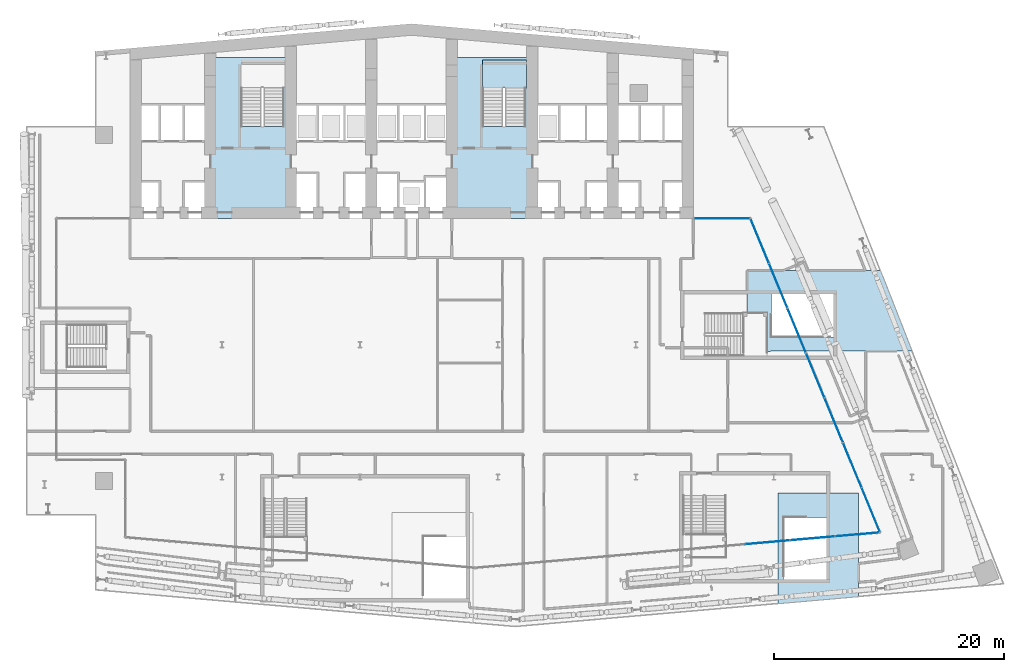
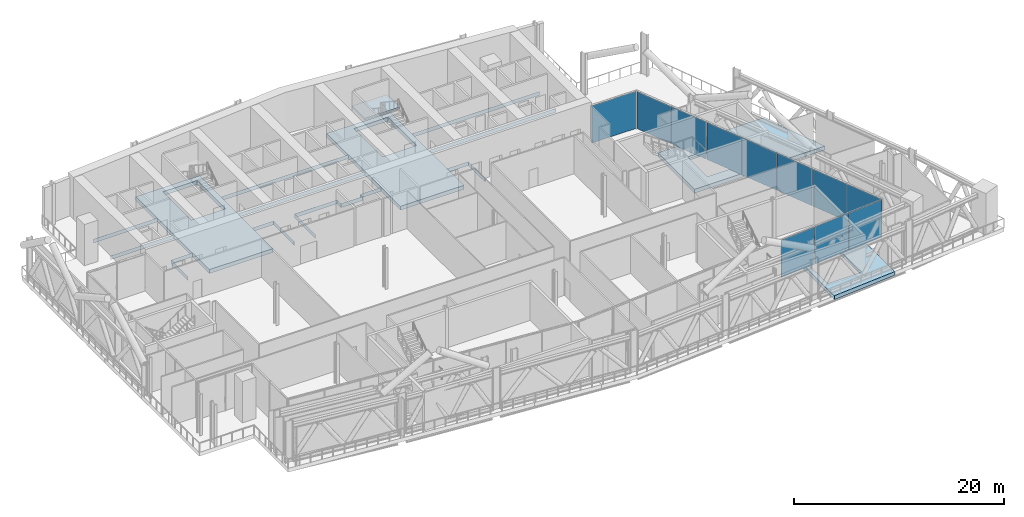
# One storey, part 14 of 42: 11 plates, 4 slabs, 4 elements without a shape of their own.
"""IFC4 building model written with IfcOpenShell, lengths in metres."""

from ifc_helpers import new_model, si_unit, direction, frame, origin, origin_2d, place, context, subcontext, project, spatial, polyline, rectangle, outline, extrude, material, layer, layer_set, type_object, element, aggregate, save


model = new_model("IFC4")

# Units and contexts
model_context = context("Model", 3, precision=1e-05, world=origin(), true_north=direction((0.0, 1.0)))
body_context = subcontext(model_context, "Body", "Model", "MODEL_VIEW")
ifc_project = project(units=[si_unit("LENGTHUNIT", "METRE"), si_unit("AREAUNIT", "SQUARE_METRE"), si_unit("VOLUMEUNIT", "CUBIC_METRE"), si_unit("PLANEANGLEUNIT", "RADIAN"), si_unit("MASSUNIT", "GRAM", prefix="KILO")], contexts=[model_context])

# Site, building, storey
site_placement = place(None, origin())
site = spatial("IfcSite", under=ifc_project, at=site_placement, CompositionType="ELEMENT")
building_placement = place(site_placement, origin())
building = spatial("IfcBuilding", under=site, at=building_placement, Name="Wharfspan Tower", CompositionType="ELEMENT")
storey_placement = place(building_placement, frame((0.0, 0.0, 147.100098)))
storey = spatial("IfcBuildingStorey", under=building, at=storey_placement, Name="L35", CompositionType="ELEMENT", Elevation=147.100098)

# Curtain wall, plate
ifc_material_1 = material(Name="Aluminium 6063-T6", Category="aluminium")
curtain_wall_type = type_object("IfcCurtainWallType", Name="CURTAIN WALL BAND RECESS", PredefinedType="NOTDEFINED", material=ifc_material_1)
curtain_wall_1_placement = place(storey_placement, origin())
curtain_wall_1 = element("IfcCurtainWall", 1, at=curtain_wall_1_placement, inside=storey, type_object=curtain_wall_type, Name="Recess glazing R4", PredefinedType="NOTDEFINED")
ifc_material_2 = material(Name="Glass clear low-iron double glazing", Category="glass")
ifc_layer_1 = layer(ifc_material_2, 0.035889)
ifc_layer_set_1 = layer_set([ifc_layer_1], Name="Glass clear low-iron double glazing")
plate_type = type_object("IfcPlateType", Name="GLASS PANEL BAND RECESS 36", PredefinedType="CURTAIN_PANEL", material=ifc_layer_set_1)
plate_1_placement = place(storey_placement, frame((67.483398, 34.0, -0.000244), z_axis=(0.0, 0.0, 1.0), x_axis=(1.0, 0.0, 0.0)))
plate_1 = element("IfcPlate", 2, at=plate_1_placement, type_object=plate_type, Name="Recess glazing R4 panel 1", PredefinedType="CURTAIN_PANEL", context=body_context, shape_type="SweptSolid", body=[
    extrude(rectangle(XDim=4.846924, YDim=0.035889, at=origin_2d()), origin(), (0.0, 0.0, 1.0), 4.330078),
])
aggregate(curtain_wall_1, [plate_1])

# Curtain wall, plates
curtain_wall_2_placement = place(storey_placement, origin())
curtain_wall_2 = element("IfcCurtainWall", 3, at=curtain_wall_2_placement, inside=storey, type_object=curtain_wall_type, Name="Recess glazing R5", PredefinedType="NOTDEFINED")
plate_2_placement = place(storey_placement, frame((70.77832, 32.034912, -0.000244), z_axis=(0.0, 0.0, 1.0), x_axis=(0.381602, -0.924325, 0.0)))
plate_2 = element("IfcPlate", 4, at=plate_2_placement, type_object=plate_type, Name="Recess glazing R5 panel 1", PredefinedType="CURTAIN_PANEL", context=body_context, shape_type="SweptSolid", body=[
    extrude(rectangle(XDim=4.13208, YDim=0.035889, at=origin_2d()), origin(), (0.0, 0.0, 1.0), 4.330078),
])
plate_3_placement = place(storey_placement, frame((72.383789, 28.145996, -0.000244), z_axis=(0.0, 0.0, 1.0), x_axis=(0.381602, -0.924325, 0.0)))
plate_3 = element("IfcPlate", 5, at=plate_3_placement, type_object=plate_type, Name="Recess glazing R5 panel 2", PredefinedType="CURTAIN_PANEL", context=body_context, shape_type="SweptSolid", body=[
    extrude(rectangle(XDim=4.162109, YDim=0.035889, at=origin_2d()), origin(), (0.0, 0.0, 1.0), 4.330078),
])
plate_4_placement = place(storey_placement, frame((73.994873, 24.243408, -0.000244), z_axis=(0.0, 0.0, 1.0), x_axis=(0.381602, -0.924325, 0.0)))
plate_4 = element("IfcPlate", 6, at=plate_4_placement, type_object=plate_type, Name="Recess glazing R5 panel 3", PredefinedType="CURTAIN_PANEL", context=body_context, shape_type="SweptSolid", body=[
    extrude(rectangle(XDim=4.162109, YDim=0.035889, at=origin_2d()), origin(), (0.0, 0.0, 1.0), 4.330078),
])
plate_5_placement = place(storey_placement, frame((75.606201, 20.34082, -0.000244), z_axis=(0.0, 0.0, 1.0), x_axis=(0.381602, -0.924325, 0.0)))
plate_5 = element("IfcPlate", 7, at=plate_5_placement, type_object=plate_type, Name="Recess glazing R5 panel 4", PredefinedType="CURTAIN_PANEL", context=body_context, shape_type="SweptSolid", body=[
    extrude(rectangle(XDim=4.162109, YDim=0.035889, at=origin_2d()), origin(), (0.0, 0.0, 1.0), 4.330078),
])
plate_6_placement = place(storey_placement, frame((77.217285, 16.437988, -0.000244), z_axis=(0.0, 0.0, 1.0), x_axis=(0.381602, -0.924325, 0.0)))
plate_6 = element("IfcPlate", 8, at=plate_6_placement, type_object=plate_type, Name="Recess glazing R5 panel 5", PredefinedType="CURTAIN_PANEL", context=body_context, shape_type="SweptSolid", body=[
    extrude(rectangle(XDim=4.162109, YDim=0.035889, at=origin_2d()), origin(), (0.0, 0.0, 1.0), 4.330078),
])
plate_7_placement = place(storey_placement, frame((78.828369, 12.5354, -0.000244), z_axis=(0.0, 0.0, 1.0), x_axis=(0.381602, -0.924325, 0.0)))
plate_7 = element("IfcPlate", 9, at=plate_7_placement, type_object=plate_type, Name="Recess glazing R5 panel 6", PredefinedType="CURTAIN_PANEL", context=body_context, shape_type="SweptSolid", body=[
    extrude(rectangle(XDim=4.162109, YDim=0.035889, at=origin_2d()), origin(), (0.0, 0.0, 1.0), 4.330078),
])
plate_8_placement = place(storey_placement, frame((80.433838, 8.646729, -0.000244), z_axis=(0.0, 0.0, 1.0), x_axis=(0.381602, -0.924325, 0.0)))
plate_8 = element("IfcPlate", 10, at=plate_8_placement, type_object=plate_type, Name="Recess glazing R5 panel 7", PredefinedType="CURTAIN_PANEL", context=body_context, shape_type="SweptSolid", body=[
    extrude(rectangle(XDim=4.13208, YDim=0.035889, at=origin_2d()), origin(), (0.0, 0.0, 1.0), 4.330078),
])
aggregate(curtain_wall_2, [plate_2, plate_3, plate_4, plate_5, plate_6, plate_7, plate_8])

curtain_wall_3_placement = place(storey_placement, origin())
curtain_wall_3 = element("IfcCurtainWall", 11, at=curtain_wall_3_placement, inside=storey, type_object=curtain_wall_type, Name="Recess glazing R6", PredefinedType="NOTDEFINED")
plate_9_placement = place(storey_placement, frame((79.272217, 6.508789, -0.000244), z_axis=(0.0, 0.0, 1.0), x_axis=(-0.996198, -0.087156, 0.0)))
plate_9 = element("IfcPlate", 12, at=plate_9_placement, type_object=plate_type, Name="Recess glazing R6 panel 1", PredefinedType="CURTAIN_PANEL", context=body_context, shape_type="SweptSolid", body=[
    extrude(rectangle(XDim=3.841064, YDim=0.035889, at=origin_2d()), origin(), (0.0, 0.0, 1.0), 4.330078),
])
plate_10_placement = place(storey_placement, frame((75.371094, 6.16748, -0.000244), z_axis=(0.0, 0.0, 1.0), x_axis=(-0.996198, -0.087156, 0.0)))
plate_10 = element("IfcPlate", 13, at=plate_10_placement, type_object=plate_type, Name="Recess glazing R6 panel 2", PredefinedType="CURTAIN_PANEL", context=body_context, shape_type="SweptSolid", body=[
    extrude(rectangle(XDim=3.871094, YDim=0.035889, at=origin_2d()), origin(), (0.0, 0.0, 1.0), 4.330078),
])
plate_11_placement = place(storey_placement, frame((71.454834, 5.824951, -0.000244), z_axis=(0.0, 0.0, 1.0), x_axis=(-0.996198, -0.087156, 0.0)))
plate_11 = element("IfcPlate", 14, at=plate_11_placement, type_object=plate_type, Name="Recess glazing R6 panel 3", PredefinedType="CURTAIN_PANEL", context=body_context, shape_type="SweptSolid", body=[
    extrude(rectangle(XDim=3.871094, YDim=0.035889, at=origin_2d()), origin(), (0.0, 0.0, 1.0), 4.330078),
])
aggregate(curtain_wall_3, [plate_9, plate_10, plate_11])

# Slabs
ifc_material_3 = material(Name="Concrete C40/50", Category="concrete")
ifc_layer_2 = layer(ifc_material_3, 0.449951)
ifc_layer_set_2 = layer_set([ifc_layer_2], Name="Concrete C40/50")
slab_type_1 = type_object("IfcSlabType", Name="Post-tensioned flat slab 450", PredefinedType="FLOOR", material=ifc_layer_set_2)
slab_1_placement = place(storey_placement, frame((0.0, 0.0, -0.450195)))
element("IfcSlab", 15, at=slab_1_placement, inside=storey, type_object=slab_type_1, Name="Core floor slab L35 part 2", PredefinedType="FLOOR", context=body_context, shape_type="SweptSolid", body=[
    extrude(outline(polyline([(20.664795, 34.0), (20.664795, 37.199951), (20.664795, 37.200195), (20.664795, 37.200439), (20.664795, 37.200684), (20.664795, 37.200684), (20.664795, 37.200928), (20.665039, 37.201172), (20.665039, 37.201416), (20.665283, 37.201416), (20.665283, 37.201416), (20.665527, 37.20166), (20.665771, 37.201904), (20.666016, 37.201904), (20.666016, 37.201904), (20.66626, 37.201904), (20.666504, 37.201904), (20.666748, 37.201904), (23.0, 37.201904), (23.000244, 37.201904), (23.000488, 37.201904), (23.000488, 37.201904), (23.000732, 37.201904), (23.000977, 37.201904), (23.001221, 37.20166), (23.001221, 37.201416), (23.001465, 37.201416), (23.001465, 37.201416), (23.001709, 37.201172), (23.001709, 37.200928), (23.001709, 37.200684), (23.001953, 37.200684), (23.001953, 37.200439), (23.001953, 37.200195), (23.001953, 37.199951), (23.001953, 34.0), (29.998047, 34.0), (29.998047, 37.949951), (29.998047, 37.950195), (29.998047, 37.950439), (29.998047, 37.950684), (29.998291, 37.950684), (29.998291, 37.950928), (29.998291, 37.951172), (29.998535, 37.951416), (29.998535, 37.951416), (29.998779, 37.951416), (29.998779, 37.95166), (29.999023, 37.951904), (29.999268, 37.951904), (29.999512, 37.951904), (29.999512, 37.951904), (29.999756, 37.951904), (30.0, 37.951904), (32.333252, 37.951904), (32.333496, 37.951904), (32.33374, 37.951904), (32.333984, 37.951904), (32.333984, 37.951904), (32.334229, 37.951904), (32.334473, 37.95166), (32.334717, 37.951416), (32.334717, 37.951416), (32.334961, 37.951416), (32.334961, 37.951172), (32.335205, 37.950928), (32.335205, 37.950684), (32.335205, 37.950684), (32.335205, 37.950439), (32.335205, 37.950195), (32.335205, 37.949951), (32.335205, 34.0), (32.341309, 34.0), (32.341309, 37.958008), (30.01001, 37.958008), (30.009766, 37.958008), (30.009521, 37.958008), (30.009521, 37.958008), (30.009277, 37.958252), (30.009033, 37.958252), (30.008789, 37.958252), (30.008789, 37.958496), (30.008545, 37.958496), (30.008545, 37.95874), (30.008301, 37.958984), (30.008301, 37.958984), (30.008301, 37.959229), (30.008057, 37.959473), (30.008057, 37.959717), (30.008057, 37.959717), (30.008057, 37.959961), (30.008057, 40.689941), (30.008057, 40.690186), (30.008057, 40.69043), (30.008057, 40.690674), (30.008301, 40.690918), (30.008301, 40.690918), (30.008301, 40.691162), (30.008545, 40.691406), (30.008545, 40.691406), (30.008789, 40.691406), (30.008789, 40.69165), (30.009033, 40.691895), (30.009277, 40.691895), (30.009521, 40.691895), (30.009521, 40.691895), (30.009766, 40.691895), (30.01001, 40.691895), (43.98999, 40.691895), (43.990234, 40.691895), (43.990479, 40.691895), (43.990479, 40.691895), (43.990723, 40.691895), (43.990967, 40.691895), (43.991211, 40.69165), (43.991211, 40.691406), (43.991455, 40.691406), (43.991455, 40.691406), (43.991699, 40.691162), (43.991699, 40.690918), (43.991699, 40.690918), (43.991943, 40.690674), (43.991943, 40.69043), (43.991943, 40.690186), (43.991943, 40.689941), (43.991943, 37.659912), (43.991943, 37.659912), (43.991943, 37.659668), (43.991943, 37.659424), (43.991699, 37.65918), (43.991699, 37.65918), (43.991699, 37.658936), (43.991455, 37.658691), (43.991455, 37.658691), (43.991211, 37.658447), (43.991211, 37.658203), (43.990967, 37.658203), (43.990723, 37.658203), (43.990479, 37.658203), (43.990479, 37.657959), (43.990234, 37.657959), (43.98999, 37.657959), (41.658691, 37.657959), (41.658691, 37.209961), (41.658691, 37.209717), (41.658691, 37.209717), (41.658691, 37.209473), (41.658447, 37.209229), (41.658447, 37.208984), (41.658447, 37.208984), (41.658203, 37.20874), (41.658203, 37.208496), (41.657959, 37.208496), (41.657715, 37.208252), (41.657715, 37.208252), (41.657471, 37.208252), (41.657227, 37.208008), (41.656982, 37.208008), (41.656982, 37.208008), (41.656738, 37.208008), (39.343262, 37.208008), (39.343018, 37.208008), (39.343018, 37.208008), (39.342773, 37.208008), (39.342529, 37.208252), (39.342285, 37.208252), (39.342285, 37.208252), (39.342041, 37.208496), (39.341797, 37.208496), (39.341797, 37.20874), (39.341553, 37.208984), (39.341553, 37.208984), (39.341553, 37.209229), (39.341309, 37.209473), (39.341309, 37.209717), (39.341309, 37.209717), (39.341309, 37.209961), (39.341309, 37.958008), (34.658691, 37.958008), (34.658691, 34.0), (34.664795, 34.0), (34.664795, 37.949951), (34.664795, 37.950195), (34.664795, 37.950439), (34.664795, 37.950684), (34.664795, 37.950684), (34.664795, 37.950928), (34.665039, 37.951172), (34.665039, 37.951416), (34.665283, 37.951416), (34.665283, 37.951416), (34.665527, 37.95166), (34.665771, 37.951904), (34.666016, 37.951904), (34.666016, 37.951904), (34.66626, 37.951904), (34.666504, 37.951904), (34.666748, 37.951904), (39.333252, 37.951904), (39.333496, 37.951904), (39.33374, 37.951904), (39.333984, 37.951904), (39.333984, 37.951904), (39.334229, 37.951904), (39.334473, 37.95166), (39.334717, 37.951416), (39.334717, 37.951416), (39.334961, 37.951416), (39.334961, 37.951172), (39.335205, 37.950928), (39.335205, 37.950684), (39.335205, 37.950684), (39.335205, 37.950439), (39.335205, 37.950195), (39.335205, 37.949951), (39.335205, 37.201904), (41.664795, 37.201904), (41.664795, 37.649902), (41.664795, 37.650146), (41.664795, 37.650391), (41.664795, 37.650635), (41.664795, 37.650879), (41.664795, 37.650879), (41.665039, 37.651123), (41.665039, 37.651367), (41.665283, 37.651367), (41.665283, 37.651611), (41.665527, 37.651611), (41.665771, 37.651855), (41.666016, 37.651855), (41.666016, 37.651855), (41.66626, 37.6521), (41.666504, 37.6521), (41.666748, 37.6521), (44.0, 37.6521), (44.000244, 37.6521), (44.000488, 37.6521), (44.000488, 37.651855), (44.000732, 37.651855), (44.000977, 37.651855), (44.001221, 37.651611), (44.001221, 37.651611), (44.001465, 37.651367), (44.001465, 37.651367), (44.001709, 37.651123), (44.001709, 37.650879), (44.001709, 37.650879), (44.001953, 37.650635), (44.001953, 37.650391), (44.001953, 37.650146), (44.001953, 37.649902), (44.001953, 34.0), (50.998047, 34.0), (50.998047, 37.199951), (50.998047, 37.200195), (50.998047, 37.200439), (50.998047, 37.200684), (50.998291, 37.200684), (50.998291, 37.200928), (50.998291, 37.201172), (50.998535, 37.201416), (50.998535, 37.201416), (50.998779, 37.201416), (50.998779, 37.20166), (50.999023, 37.201904), (50.999268, 37.201904), (50.999512, 37.201904), (50.999512, 37.201904), (50.999756, 37.201904), (51.0, 37.201904), (53.333252, 37.201904), (53.333496, 37.201904), (53.33374, 37.201904), (53.333984, 37.201904), (53.333984, 37.201904), (53.334229, 37.201904), (53.334473, 37.20166), (53.334717, 37.201416), (53.334717, 37.201416), (53.334961, 37.201416), (53.334961, 37.201172), (53.335205, 37.200928), (53.335205, 37.200684), (53.335205, 37.200684), (53.335205, 37.200439), (53.335205, 37.200195), (53.335205, 37.199951), (53.335205, 34.0), (53.341309, 34.0), (53.341309, 37.208008), (51.01001, 37.208008), (51.009766, 37.208008), (51.009521, 37.208008), (51.009521, 37.208008), (51.009277, 37.208252), (51.009033, 37.208252), (51.008789, 37.208252), (51.008789, 37.208496), (51.008545, 37.208496), (51.008545, 37.20874), (51.008301, 37.208984), (51.008301, 37.208984), (51.008301, 37.209229), (51.008057, 37.209473), (51.008057, 37.209717), (51.008057, 37.209717), (51.008057, 37.209961), (51.008057, 40.689941), (51.008057, 40.690186), (51.008057, 40.69043), (51.008057, 40.690674), (51.008301, 40.690918), (51.008301, 40.690918), (51.008301, 40.691162), (51.008545, 40.691406), (51.008545, 40.691406), (51.008789, 40.691406), (51.008789, 40.69165), (51.009033, 40.691895), (51.009277, 40.691895), (51.009521, 40.691895), (51.009521, 40.691895), (51.009766, 40.691895), (51.01001, 40.691895), (65.0, 40.691895), (65.0, 40.697998), (51.0, 40.697998), (50.999756, 40.697998), (50.999512, 40.697998), (50.999512, 40.697998), (50.999268, 40.698242), (50.999023, 40.698242), (50.998779, 40.698242), (50.998779, 40.698486), (50.998535, 40.698486), (50.998535, 40.69873), (50.998291, 40.698975), (50.998291, 40.699219), (50.998291, 40.699219), (50.998047, 40.699463), (50.998047, 40.699707), (50.998047, 40.699707), (50.998047, 40.699951), (50.998047, 43.899902), (50.998047, 43.900146), (50.998047, 43.900391), (50.998047, 43.900635), (50.998291, 43.900879), (50.998291, 43.900879), (50.998291, 43.901123), (50.998535, 43.901367), (50.998535, 43.901367), (50.998779, 43.901611), (50.998779, 43.901611), (50.999023, 43.901855), (50.999268, 43.901855), (50.999512, 43.901855), (50.999512, 43.9021), (50.999756, 43.9021), (51.0, 43.9021), (65.0, 43.9021), (65.0, 43.907959), (51.01001, 43.907959), (51.009766, 43.907959), (51.009521, 43.907959), (51.009521, 43.908203), (51.009277, 43.908203), (51.009033, 43.908203), (51.008789, 43.908203), (51.008789, 43.908447), (51.008545, 43.908691), (51.008545, 43.908691), (51.008301, 43.908936), (51.008301, 43.90918), (51.008301, 43.90918), (51.008057, 43.909424), (51.008057, 43.909668), (51.008057, 43.909912), (51.008057, 43.909912), (51.008057, 48.008057), (43.991943, 48.008057), (43.991943, 43.909912), (43.991943, 43.909912), (43.991943, 43.909668), (43.991943, 43.909424), (43.991699, 43.90918), (43.991699, 43.90918), (43.991699, 43.908936), (43.991455, 43.908691), (43.991455, 43.908691), (43.991211, 43.908447), (43.991211, 43.908203), (43.990967, 43.908203), (43.990723, 43.908203), (43.990479, 43.908203), (43.990479, 43.907959), (43.990234, 43.907959), (43.98999, 43.907959), (30.01001, 43.907959), (30.009766, 43.907959), (30.009521, 43.907959), (30.009521, 43.908203), (30.009277, 43.908203), (30.009033, 43.908203), (30.008789, 43.908203), (30.008789, 43.908447), (30.008545, 43.908691), (30.008545, 43.908691), (30.008301, 43.908936), (30.008301, 43.90918), (30.008301, 43.90918), (30.008057, 43.909424), (30.008057, 43.909668), (30.008057, 43.909912), (30.008057, 43.909912), (30.008057, 48.008057), (22.991943, 48.008057), (22.991943, 43.909912), (22.991943, 43.909912), (22.991943, 43.909668), (22.991943, 43.909424), (22.991699, 43.90918), (22.991699, 43.90918), (22.991699, 43.908936), (22.991455, 43.908691), (22.991455, 43.908691), (22.991211, 43.908447), (22.991211, 43.908203), (22.990967, 43.908203), (22.990723, 43.908203), (22.990479, 43.908203), (22.990479, 43.907959), (22.990234, 43.907959), (22.98999, 43.907959), (16.0, 43.907959), (16.0, 43.9021), (20.666748, 43.9021), (20.666748, 43.9021), (23.0, 43.9021), (23.000244, 43.9021), (23.000488, 43.9021), (23.000488, 43.901855), (23.000732, 43.901855), (23.000977, 43.901855), (23.001221, 43.901611), (23.001221, 43.901611), (23.001465, 43.901367), (23.001465, 43.901367), (23.001709, 43.901123), (23.001709, 43.900879), (23.001709, 43.900879), (23.001953, 43.900635), (23.001953, 43.900391), (23.001953, 43.900146), (23.001953, 43.899902), (23.001953, 40.699951), (23.001953, 40.699707), (23.001953, 40.699707), (23.001953, 40.699463), (23.001709, 40.699219), (23.001709, 40.699219), (23.001709, 40.698975), (23.001465, 40.69873), (23.001465, 40.698486), (23.001221, 40.698486), (23.001221, 40.698242), (23.000977, 40.698242), (23.000732, 40.698242), (23.000488, 40.697998), (23.000488, 40.697998), (23.000244, 40.697998), (23.0, 40.697998), (20.666748, 40.697998), (20.666748, 40.697998), (16.0, 40.697998), (16.0, 40.691895), (22.98999, 40.691895), (22.990234, 40.691895), (22.990479, 40.691895), (22.990479, 40.691895), (22.990723, 40.691895), (22.990967, 40.691895), (22.991211, 40.69165), (22.991211, 40.691406), (22.991455, 40.691406), (22.991455, 40.691406), (22.991699, 40.691162), (22.991699, 40.690918), (22.991699, 40.690918), (22.991943, 40.690674), (22.991943, 40.69043), (22.991943, 40.690186), (22.991943, 40.689941), (22.991943, 37.209961), (22.991943, 37.209717), (22.991943, 37.209717), (22.991943, 37.209473), (22.991699, 37.209229), (22.991699, 37.208984), (22.991699, 37.208984), (22.991455, 37.20874), (22.991455, 37.208496), (22.991211, 37.208496), (22.991211, 37.208252), (22.990967, 37.208252), (22.990723, 37.208252), (22.990479, 37.208008), (22.990479, 37.208008), (22.990234, 37.208008), (22.98999, 37.208008), (20.658691, 37.208008), (20.658691, 34.0), (20.664795, 34.0)]), holes=[polyline([(46.647949, 47.399902), (46.647949, 47.400146), (46.647949, 47.400391), (46.648193, 47.400635), (46.648193, 47.400879), (46.648193, 47.400879), (46.648193, 47.401123), (46.648438, 47.401367), (46.648682, 47.401367), (46.648682, 47.401611), (46.648926, 47.401611), (46.64917, 47.401855), (46.64917, 47.401855), (46.649414, 47.401855), (46.649658, 47.4021), (46.649902, 47.4021), (46.649902, 47.4021), (50.399902, 47.4021), (50.400146, 47.4021), (50.400391, 47.4021), (50.400635, 47.401855), (50.400879, 47.401855), (50.400879, 47.401855), (50.401123, 47.401611), (50.401367, 47.401611), (50.401367, 47.401367), (50.401611, 47.401367), (50.401611, 47.401123), (50.401855, 47.400879), (50.401855, 47.400879), (50.401855, 47.400635), (50.4021, 47.400391), (50.4021, 47.400146), (50.4021, 47.399902), (50.4021, 42.0), (50.4021, 41.999756), (50.4021, 41.999512), (50.401855, 41.999512), (50.401855, 41.999268), (50.401855, 41.999023), (50.401611, 41.998779), (50.401611, 41.998779), (50.401367, 41.998535), (50.401367, 41.998535), (50.401123, 41.998291), (50.400879, 41.998291), (50.400879, 41.998291), (50.400635, 41.998047), (50.400391, 41.998047), (50.400146, 41.998047), (50.399902, 41.998047), (46.649902, 41.998047), (46.649902, 41.998047), (46.649658, 41.998047), (46.649414, 41.998047), (46.64917, 41.998291), (46.64917, 41.998291), (46.648926, 41.998291), (46.648682, 41.998535), (46.648682, 41.998535), (46.648438, 41.998779), (46.648193, 41.998779), (46.648193, 41.999023), (46.648193, 41.999268), (46.648193, 41.999512), (46.647949, 41.999512), (46.647949, 41.999756), (46.647949, 42.0), (46.647949, 47.399902)]), polyline([(44.0, 43.9021), (44.000244, 43.9021), (44.000488, 43.9021), (44.000488, 43.901855), (44.000732, 43.901855), (44.000977, 43.901855), (44.001221, 43.901611), (44.001221, 43.901611), (44.001465, 43.901367), (44.001465, 43.901367), (44.001709, 43.901123), (44.001709, 43.900879), (44.001709, 43.900879), (44.001953, 43.900635), (44.001953, 43.900391), (44.001953, 43.900146), (44.001953, 43.899902), (44.001953, 40.699951), (44.001953, 40.699707), (44.001953, 40.699707), (44.001953, 40.699463), (44.001709, 40.699219), (44.001709, 40.699219), (44.001709, 40.698975), (44.001465, 40.69873), (44.001465, 40.698486), (44.001221, 40.698486), (44.001221, 40.698242), (44.000977, 40.698242), (44.000732, 40.698242), (44.000488, 40.697998), (44.000488, 40.697998), (44.000244, 40.697998), (44.0, 40.697998), (30.0, 40.697998), (29.999756, 40.697998), (29.999512, 40.697998), (29.999512, 40.697998), (29.999268, 40.698242), (29.999023, 40.698242), (29.998779, 40.698242), (29.998779, 40.698486), (29.998535, 40.698486), (29.998535, 40.69873), (29.998291, 40.698975), (29.998291, 40.699219), (29.998291, 40.699219), (29.998047, 40.699463), (29.998047, 40.699707), (29.998047, 40.699707), (29.998047, 40.699951), (29.998047, 43.899902), (29.998047, 43.900146), (29.998047, 43.900391), (29.998047, 43.900635), (29.998291, 43.900879), (29.998291, 43.900879), (29.998291, 43.901123), (29.998535, 43.901367), (29.998535, 43.901367), (29.998779, 43.901611), (29.998779, 43.901611), (29.999023, 43.901855), (29.999268, 43.901855), (29.999512, 43.901855), (29.999512, 43.9021), (29.999756, 43.9021), (30.0, 43.9021), (44.0, 43.9021)]), polyline([(25.649902, 41.998047), (25.649902, 41.998047), (25.649658, 41.998047), (25.649414, 41.998047), (25.64917, 41.998291), (25.64917, 41.998291), (25.648926, 41.998291), (25.648682, 41.998535), (25.648682, 41.998535), (25.648438, 41.998779), (25.648193, 41.998779), (25.648193, 41.999023), (25.648193, 41.999268), (25.648193, 41.999512), (25.647949, 41.999512), (25.647949, 41.999756), (25.647949, 42.0), (25.647949, 47.399902), (25.647949, 47.400146), (25.647949, 47.400391), (25.648193, 47.400635), (25.648193, 47.400879), (25.648193, 47.400879), (25.648193, 47.401123), (25.648438, 47.401367), (25.648682, 47.401367), (25.648682, 47.401611), (25.648926, 47.401611), (25.64917, 47.401855), (25.64917, 47.401855), (25.649414, 47.401855), (25.649658, 47.4021), (25.649902, 47.4021), (25.649902, 47.4021), (29.399902, 47.4021), (29.400146, 47.4021), (29.400391, 47.4021), (29.400635, 47.401855), (29.400879, 47.401855), (29.400879, 47.401855), (29.401123, 47.401611), (29.401367, 47.401611), (29.401367, 47.401367), (29.401611, 47.401367), (29.401611, 47.401123), (29.401855, 47.400879), (29.401855, 47.400879), (29.401855, 47.400635), (29.4021, 47.400391), (29.4021, 47.400146), (29.4021, 47.399902), (29.4021, 42.0), (29.4021, 41.999756), (29.4021, 41.999512), (29.401855, 41.999512), (29.401855, 41.999268), (29.401855, 41.999023), (29.401611, 41.998779), (29.401611, 41.998779), (29.401367, 41.998535), (29.401367, 41.998535), (29.401123, 41.998291), (29.400879, 41.998291), (29.400879, 41.998291), (29.400635, 41.998047), (29.400391, 41.998047), (29.400146, 41.998047), (29.399902, 41.998047), (25.649902, 41.998047)])]), origin(), (0.0, 0.0, 1.0), 0.450195),
])
slab_2_placement = place(storey_placement, frame((0.0, 0.0, -0.450195)))
element("IfcSlab", 16, at=slab_2_placement, inside=storey, type_object=slab_type_1, Name="Core floor slab L35 part 4", PredefinedType="FLOOR", context=body_context, shape_type="SweptSolid", body=[
    extrude(outline(polyline([(79.365967, 10.094727), (76.891113, 10.094727), (72.541016, 10.094727), (72.365967, 10.094727), (72.365967, 0.482178), (79.365967, 1.094727), (79.365967, 10.094727)]), holes=[polyline([(76.591064, 7.996582), (76.591309, 7.996582), (76.591309, 7.996582), (76.591553, 7.996582), (76.591797, 7.996582), (76.591797, 7.996338), (76.592041, 7.996338), (76.592285, 7.996094), (76.592285, 7.996094), (76.592529, 7.99585), (76.592773, 7.99585), (76.592773, 7.995605), (76.593018, 7.995361), (76.593018, 7.995117), (76.593018, 7.995117), (76.593018, 7.994873), (76.593018, 7.994629), (76.593018, 2.594727), (76.593018, 2.594482), (76.593018, 2.594238), (76.593018, 2.593994), (76.593018, 2.593994), (76.592773, 2.59375), (76.592773, 2.593506), (76.592529, 2.593506), (76.592285, 2.593262), (76.592285, 2.593018), (76.592041, 2.593018), (76.591797, 2.593018), (76.591797, 2.592773), (76.591553, 2.592773), (76.591309, 2.592773), (76.591309, 2.592773), (76.591064, 2.592773), (72.841064, 2.592773), (72.84082, 2.592773), (72.840576, 2.592773), (72.840332, 2.592773), (72.840088, 2.592773), (72.840088, 2.593018), (72.839844, 2.593018), (72.8396, 2.593018), (72.8396, 2.593262), (72.8396, 2.593506), (72.839355, 2.593506), (72.839111, 2.59375), (72.839111, 2.593994), (72.839111, 2.593994), (72.839111, 2.594238), (72.839111, 2.594482), (72.839111, 2.594727), (72.839111, 7.994629), (72.839111, 7.994873), (72.839111, 7.995117), (72.839111, 7.995117), (72.839111, 7.995361), (72.839111, 7.995605), (72.839355, 7.99585), (72.8396, 7.99585), (72.8396, 7.996094), (72.8396, 7.996094), (72.839844, 7.996338), (72.840088, 7.996338), (72.840088, 7.996582), (72.840332, 7.996582), (72.840576, 7.996582), (72.84082, 7.996582), (72.841064, 7.996582), (76.591064, 7.996582)])]), origin(), (0.0, 0.0, 1.0), 0.450195),
])
slab_3_placement = place(storey_placement, frame((0.0, 0.0, -0.450195)))
element("IfcSlab", 17, at=slab_3_placement, inside=storey, type_object=slab_type_1, Name="Core floor slab L35 part 5", PredefinedType="FLOOR", context=body_context, shape_type="SweptSolid", body=[
    extrude(outline(polyline([(69.682373, 26.074951), (69.682373, 22.441895), (71.70459, 22.441895), (71.70459, 22.449951), (84.041504, 22.449951), (81.290283, 29.449951), (69.69043, 29.449951), (69.69043, 27.725098), (69.69043, 26.074951), (69.682373, 26.074951)]), holes=[polyline([(71.78833, 27.425049), (71.78833, 27.425293), (71.78833, 27.425293), (71.788574, 27.425537), (71.788574, 27.425781), (71.788574, 27.425781), (71.788818, 27.426025), (71.788818, 27.42627), (71.789062, 27.426514), (71.789062, 27.426514), (71.789307, 27.426758), (71.789551, 27.426758), (71.789551, 27.426758), (71.789795, 27.427002), (71.790039, 27.427002), (71.790283, 27.427002), (71.790283, 27.427002), (77.19043, 27.427002), (77.190674, 27.427002), (77.190918, 27.427002), (77.190918, 27.427002), (77.191162, 27.426758), (77.191406, 27.426758), (77.191406, 27.426758), (77.19165, 27.426514), (77.191895, 27.426514), (77.191895, 27.42627), (77.192139, 27.426025), (77.192139, 27.425781), (77.192139, 27.425781), (77.192383, 27.425537), (77.192383, 27.425293), (77.192383, 27.425293), (77.192383, 27.425049), (77.192383, 23.675049), (77.192383, 23.674805), (77.192383, 23.674561), (77.192383, 23.674316), (77.192139, 23.674316), (77.192139, 23.674072), (77.192139, 23.673828), (77.191895, 23.673584), (77.191895, 23.673584), (77.19165, 23.673584), (77.191406, 23.67334), (77.191406, 23.673096), (77.191162, 23.673096), (77.190918, 23.673096), (77.190918, 23.673096), (77.190674, 23.673096), (77.19043, 23.673096), (71.790283, 23.673096), (71.790283, 23.673096), (71.790039, 23.673096), (71.789795, 23.673096), (71.789551, 23.673096), (71.789551, 23.673096), (71.789307, 23.67334), (71.789062, 23.673584), (71.789062, 23.673584), (71.788818, 23.673584), (71.788818, 23.673828), (71.788574, 23.674072), (71.788574, 23.674316), (71.788574, 23.674316), (71.78833, 23.674561), (71.78833, 23.674805), (71.78833, 23.675049), (71.78833, 27.425049)])]), origin(), (0.0, 0.0, 1.0), 0.450195),
])

# Stair, slab
stair_type = type_object("IfcStairType", Name="Half-turn stair 26 risers 185 mm", PredefinedType="HALF_TURN_STAIR", material=ifc_material_3)
stair_placement = place(storey_placement, origin())
stair = element("IfcStair", 18, at=stair_placement, inside=storey, type_object=stair_type, Name="L35 stair ST2", PredefinedType="HALF_TURN_STAIR")
ifc_layer_3 = layer(ifc_material_3, 0.199951)
ifc_layer_set_3 = layer_set([ifc_layer_3], Name="Concrete C40/50")
slab_type_2 = type_object("IfcSlabType", Name="Stair landing 200", PredefinedType="LANDING", material=ifc_layer_set_3)
slab_4_placement = place(storey_placement, frame((0.0, 0.0, 2.199707)))
slab_4 = element("IfcSlab", 19, at=slab_4_placement, type_object=slab_type_2, Name="ST2 landing 1", PredefinedType="LANDING", context=body_context, shape_type="SweptSolid", body=[
    extrude(outline(polyline([(46.649902, 45.360107), (50.5, 45.360107), (50.5, 47.783691), (46.649902, 47.783691), (46.649902, 45.360107)])), origin(), (0.0, 0.0, 1.0), 0.200195),
])
aggregate(stair, [slab_4])

save(model, "model.ifc")
